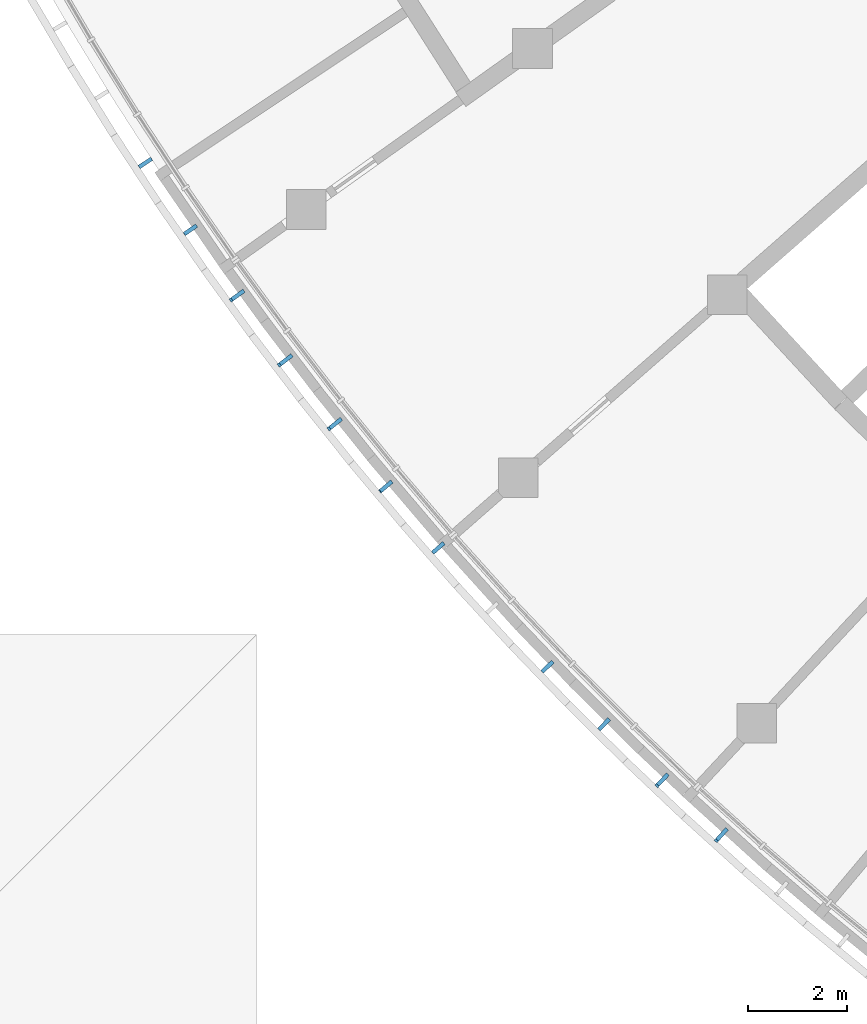
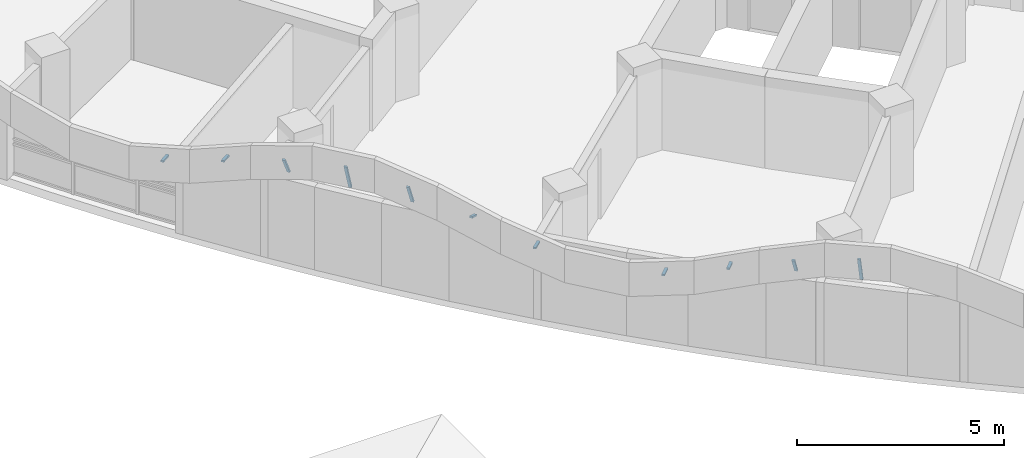
# One storey, part 70 of 89: 11 discrete accessories.
"""IFC4 building model written with IfcOpenShell, lengths in metres."""

from ifc_helpers import new_model, si_unit, direction, frame, origin, origin_2d, place, context, subcontext, project, spatial, rectangle, extrude, material, material_profile, profile_set, type_object, element, save


model = new_model("IFC4")

# Units and contexts
model_context = context("Model", 3, precision=1e-05, world=origin(), true_north=direction((0.0, 1.0)))
body_context = subcontext(model_context, "Body", "Model", "MODEL_VIEW")
ifc_project = project(units=[si_unit("LENGTHUNIT", "METRE"), si_unit("AREAUNIT", "SQUARE_METRE"), si_unit("VOLUMEUNIT", "CUBIC_METRE"), si_unit("PLANEANGLEUNIT", "RADIAN"), si_unit("MASSUNIT", "GRAM", prefix="KILO")], contexts=[model_context])

# Site, building, storey
site_placement = place(None, origin())
site = spatial("IfcSite", under=ifc_project, at=site_placement, CompositionType="ELEMENT")
building_placement = place(site_placement, origin())
building = spatial("IfcBuilding", under=site, at=building_placement, Name="Bougainvillea Quay General Hospital", CompositionType="ELEMENT")
storey_placement = place(building_placement, frame((0.0, 0.0, 9.89990234375)))
storey = spatial("IfcBuildingStorey", under=building, at=storey_placement, Name="L01M", CompositionType="ELEMENT", Elevation=9.89990234375)

# Discrete accessories
ifc_material = material(Name="Stainless steel bracket, grade 316", Category="steel")
ifc_material_profile = material_profile(ifc_material, rectangle(XDim=0.080078125, YDim=0.050048828125, at=origin_2d()))
ifc_profile_set = profile_set([ifc_material_profile], Name="Stainless steel bracket, grade 316")
discrete_accessory_type = type_object("IfcDiscreteAccessoryType", Name="Stainless steel stand-off bracket 80x50", PredefinedType="BRACKET", material=ifc_profile_set)
discrete_accessory_1_placement = place(storey_placement, frame((50.682861328125, 87.593017578125, 2.15087890625), z_axis=(-0.836036241576, -0.548674222806, 0.0), x_axis=(0.548674222806, -0.836036241576, 0.0)))
element("IfcDiscreteAccessory", 1, at=discrete_accessory_1_placement, inside=storey, type_object=discrete_accessory_type, Name="Fascia bracket a01 12", PredefinedType="BRACKET", context=body_context, shape_type="SweptSolid", body=[
    extrude(rectangle(XDim=0.080078125, YDim=0.050048828125, at=origin_2d()), origin(), (0.0, 0.0, 1.0), 0.2998046875),
])
discrete_accessory_2_placement = place(storey_placement, frame((51.589111328125, 86.24658203125, 2.64013671875), z_axis=(-0.821739144865, -0.567333257286, 0.05364469195), x_axis=(0.568151345887, -0.822924084085, 0.0)))
element("IfcDiscreteAccessory", 2, at=discrete_accessory_2_placement, inside=storey, type_object=discrete_accessory_type, Name="Fascia bracket a01 13", PredefinedType="BRACKET", context=body_context, shape_type="SweptSolid", body=[
    extrude(rectangle(XDim=0.080078125, YDim=0.050048828125, at=origin_2d()), origin(), (0.0, 0.0, 1.0), 0.30029296875),
])
discrete_accessory_3_placement = place(storey_placement, frame((52.5263671875, 84.921630859375, 2.64013671875), z_axis=(-0.389406120277, -0.282564039035, 0.876652974292), x_axis=(0.587300760558, -0.80936877667, 0.0)))
element("IfcDiscreteAccessory", 3, at=discrete_accessory_3_placement, inside=storey, type_object=discrete_accessory_type, Name="Fascia bracket a01 14", PredefinedType="BRACKET", context=body_context, shape_type="SweptSolid", body=[
    extrude(rectangle(XDim=0.080078125, YDim=0.050048828125, at=origin_2d()), origin(), (0.0, 0.0, 1.0), 0.623779296875),
])
discrete_accessory_4_placement = place(storey_placement, frame((53.494140625, 83.61865234375, 2.64013671875), z_axis=(-0.279967083227, -0.212981093988, 0.936086259868), x_axis=(0.605454603706, -0.795879841968, 0.0)))
element("IfcDiscreteAccessory", 4, at=discrete_accessory_4_placement, inside=storey, type_object=discrete_accessory_type, Name="Fascia bracket a01 15", PredefinedType="BRACKET", context=body_context, shape_type="SweptSolid", body=[
    extrude(rectangle(XDim=0.080078125, YDim=0.050048828125, at=origin_2d()), origin(), (0.0, 0.0, 1.0), 0.852783203125),
])
discrete_accessory_5_placement = place(storey_placement, frame((54.49169921875, 82.33837890625, 2.64013671875), z_axis=(-0.337536509544, -0.269677607104, 0.901855361437), x_axis=(0.624198690701, -0.781265636341, 0.0)))
element("IfcDiscreteAccessory", 5, at=discrete_accessory_5_placement, inside=storey, type_object=discrete_accessory_type, Name="Fascia bracket a01 16", PredefinedType="BRACKET", context=body_context, shape_type="SweptSolid", body=[
    extrude(rectangle(XDim=0.080078125, YDim=0.050048828125, at=origin_2d()), origin(), (0.0, 0.0, 1.0), 0.6943359375),
])
discrete_accessory_6_placement = place(storey_placement, frame((55.518798828125, 81.08154296875, 2.64013671875), z_axis=(-0.704616200851, -0.588799115876, 0.396019709916), x_axis=(0.641224327915, -0.767353478711, 0.0)))
element("IfcDiscreteAccessory", 6, at=discrete_accessory_6_placement, inside=storey, type_object=discrete_accessory_type, Name="Fascia bracket a01 17", PredefinedType="BRACKET", context=body_context, shape_type="SweptSolid", body=[
    extrude(rectangle(XDim=0.080078125, YDim=0.050048828125, at=origin_2d()), origin(), (0.0, 0.0, 1.0), 0.32666015625),
])
discrete_accessory_7_placement = place(storey_placement, frame((56.57470703125, 79.84912109375, 2.23291015625), z_axis=(-0.751971412186, -0.659195718475, 0.0), x_axis=(0.659195718475, -0.751971412186, 0.0)))
element("IfcDiscreteAccessory", 7, at=discrete_accessory_7_placement, inside=storey, type_object=discrete_accessory_type, Name="Fascia bracket a01 18", PredefinedType="BRACKET", context=body_context, shape_type="SweptSolid", body=[
    extrude(rectangle(XDim=0.080078125, YDim=0.050048828125, at=origin_2d()), origin(), (0.0, 0.0, 1.0), 0.300048828125),
])
for number, where, z_axis, x_axis, name in (
    (8, (58.770751953125, 77.458984375, 2.11767578125), (-0.720410590031, -0.693547822267, 0.0), (0.693547822267, -0.720410590031, 0.0), "Fascia bracket a01 20"),
    (9, (59.90966796875, 76.302734375, 2.605224609375), (-0.704251467002, -0.709950611822, 0.0), (0.709950611822, -0.704251467002, 0.0), "Fascia bracket a01 21"),
):
    element("IfcDiscreteAccessory", number, at=place(storey_placement, frame(where, z_axis=z_axis, x_axis=x_axis)), inside=storey, type_object=discrete_accessory_type, Name=name, PredefinedType="BRACKET", context=body_context, shape_type="SweptSolid", body=[
        extrude(rectangle(XDim=0.080078125, YDim=0.050048828125, at=origin_2d()), origin(), (0.0, 0.0, 1.0), 0.2998046875),
    ])
discrete_accessory_8_placement = place(storey_placement, frame((61.0751953125, 75.17333984375, 2.64013671875), z_axis=(-0.349791292519, -0.369684636169, 0.860801557537), x_axis=(0.726380511313, -0.687292770794, 0.0)))
element("IfcDiscreteAccessory", 10, at=discrete_accessory_8_placement, inside=storey, type_object=discrete_accessory_type, Name="Fascia bracket a01 22", PredefinedType="BRACKET", context=body_context, shape_type="SweptSolid", body=[
    extrude(rectangle(XDim=0.080078125, YDim=0.050048828125, at=origin_2d()), origin(), (0.0, 0.0, 1.0), 0.589111328125),
])
discrete_accessory_9_placement = place(storey_placement, frame((62.2666015625, 74.0712890625, 2.64013671875), z_axis=(-0.237401524046, -0.262755084866, 0.935200663899), x_axis=(0.74199819525, -0.670401878164, 0.0)))
element("IfcDiscreteAccessory", 11, at=discrete_accessory_9_placement, inside=storey, type_object=discrete_accessory_type, Name="Fascia bracket a01 23", PredefinedType="BRACKET", context=body_context, shape_type="SweptSolid", body=[
    extrude(rectangle(XDim=0.080078125, YDim=0.050048828125, at=origin_2d()), origin(), (0.0, 0.0, 1.0), 0.847412109375),
])

save(model, "model.ifc")
